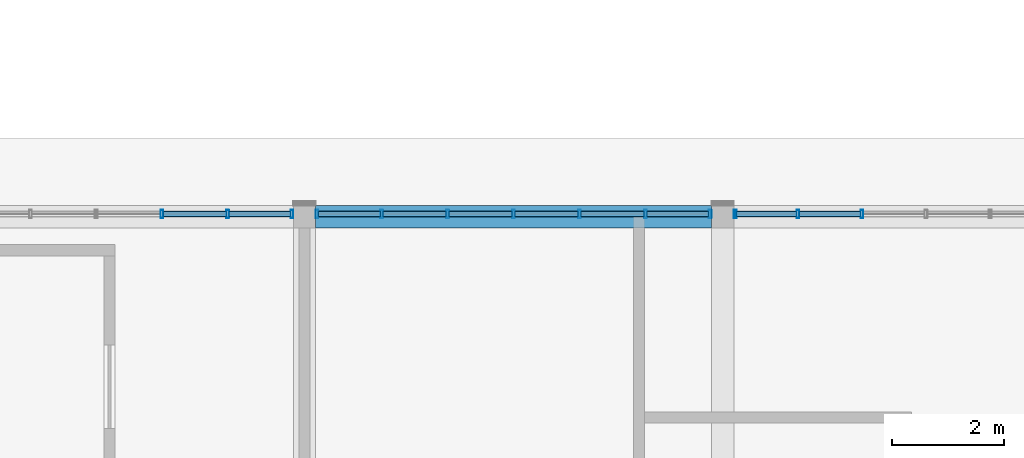
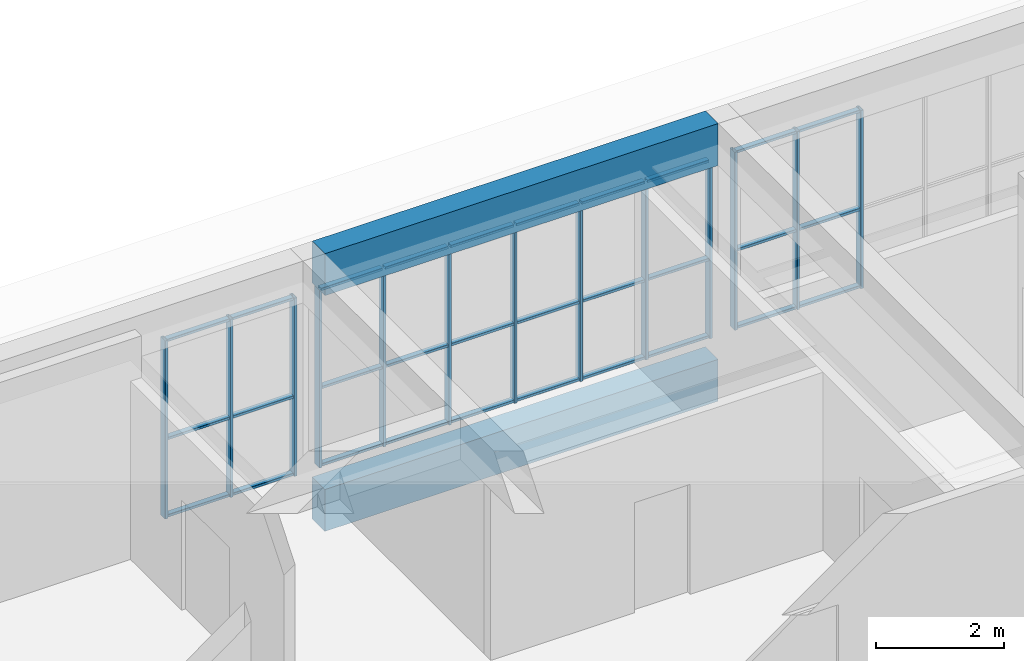
# One storey, part 15 of 92: 43 members, 2 beams, 3 elements without a shape of their own.
"""IFC4 building model written with IfcOpenShell, lengths in metres."""

from ifc_helpers import new_model, si_unit, direction, frame, origin, origin_2d, place, context, subcontext, project, spatial, rectangle, hollow_rectangle, extrude, material, material_profile, profile_set, type_object, element, aggregate, save


model = new_model("IFC4")

# Units and contexts
model_context = context("Model", 3, precision=1e-05, world=origin(), true_north=direction((0.0, 1.0)))
body_context = subcontext(model_context, "Body", "Model", "MODEL_VIEW")
ifc_project = project(units=[si_unit("LENGTHUNIT", "METRE"), si_unit("AREAUNIT", "SQUARE_METRE"), si_unit("VOLUMEUNIT", "CUBIC_METRE"), si_unit("PLANEANGLEUNIT", "RADIAN"), si_unit("MASSUNIT", "GRAM", prefix="KILO")], contexts=[model_context])

# Site, building, storey
site_placement = place(None, origin())
site = spatial("IfcSite", under=ifc_project, at=site_placement, CompositionType="ELEMENT")
building_placement = place(site_placement, origin())
building = spatial("IfcBuilding", under=site, at=building_placement, Name="Sun Court Science Centre", CompositionType="ELEMENT")
storey_placement = place(building_placement, frame((0.0, 0.0, 11.25)))
storey = spatial("IfcBuildingStorey", under=building, at=storey_placement, Name="L02", CompositionType="ELEMENT", Elevation=11.25)

# Curtain wall, members
ifc_material_1 = material(Name="Aluminium EN AW-6063 T6", Category="aluminium")
curtain_wall_type = type_object("IfcCurtainWallType", Name="Pavilion curtain wall 1200", PredefinedType="NOTDEFINED", material=ifc_material_1)
curtain_wall_1_placement = place(storey_placement, origin())
curtain_wall_1 = element("IfcCurtainWall", 1, at=curtain_wall_1_placement, inside=storey, type_object=curtain_wall_type, Name="Curtain wall V5 N L02 01", PredefinedType="NOTDEFINED")
ifc_material_2 = material(Name="Aluminium EN AW-6063 T6", Category="aluminium")
ifc_material_profile_1 = material_profile(ifc_material_2, hollow_rectangle(XDim=0.050048828125, YDim=0.14990234375, WallThickness=0.00390625, InnerFilletRadius=0.00390625, OuterFilletRadius=0.006103515625, at=origin_2d()), Name="AL 50x150x4")
ifc_profile_set_1 = profile_set([ifc_material_profile_1], Name="Aluminium EN AW-6063 T6")
member_type_1 = type_object("IfcMemberType", Name="Curtain wall mullion AL 50x150", PredefinedType="MULLION", material=ifc_profile_set_1)
member_1_placement = place(storey_placement, frame((48.44287109375, 49.85009765625, 0.0), z_axis=(0.0, 0.0, 1.0), x_axis=(1.0, 0.0, 0.0)))
member_1 = element("IfcMember", 2, at=member_1_placement, type_object=member_type_1, Name="CW3-17 mullion 6", PredefinedType="MULLION", context=body_context, shape_type="SweptSolid", body=[
    extrude(hollow_rectangle(XDim=0.050048828125, YDim=0.14990234375, WallThickness=0.00390625, InnerFilletRadius=0.00390625, OuterFilletRadius=0.006103515625, at=origin_2d()), origin(), (0.0, 0.0, 1.0), 3.39990234375),
])
member_2_placement = place(storey_placement, frame((49.621337890625, 49.85009765625, 0.0), z_axis=(0.0, 0.0, 1.0), x_axis=(1.0, 0.0, 0.0)))
member_2 = element("IfcMember", 3, at=member_2_placement, type_object=member_type_1, Name="CW3-17 mullion 7", PredefinedType="MULLION", context=body_context, shape_type="SweptSolid", body=[
    extrude(hollow_rectangle(XDim=0.050048828125, YDim=0.14990234375, WallThickness=0.00390625, InnerFilletRadius=0.00390625, OuterFilletRadius=0.006103515625, at=origin_2d()), origin(), (0.0, 0.0, 1.0), 3.39990234375),
])
member_3_placement = place(storey_placement, frame((50.77490234375, 49.85009765625, 0.0), z_axis=(0.0, 0.0, 1.0), x_axis=(1.0, 0.0, 0.0)))
member_3 = element("IfcMember", 4, at=member_3_placement, type_object=member_type_1, Name="CW3-17 mullion 8", PredefinedType="MULLION", context=body_context, shape_type="SweptSolid", body=[
    extrude(hollow_rectangle(XDim=0.050048828125, YDim=0.14990234375, WallThickness=0.00390625, InnerFilletRadius=0.00390625, OuterFilletRadius=0.006103515625, at=origin_2d()), origin(), (0.0, 0.0, 1.0), 3.39990234375),
])

curtain_wall_2_placement = place(storey_placement, origin())
curtain_wall_2 = element("IfcCurtainWall", 5, at=curtain_wall_2_placement, inside=storey, type_object=curtain_wall_type, Name="Curtain wall V5 N L02 02", PredefinedType="NOTDEFINED")
member_4_placement = place(storey_placement, frame((51.22509765625, 49.85009765625, 0.0), z_axis=(0.0, 0.0, 1.0), x_axis=(1.0, 0.0, 0.0)))
member_4 = element("IfcMember", 6, at=member_4_placement, type_object=member_type_1, Name="CW3-18 mullion 1", PredefinedType="MULLION", context=body_context, shape_type="SweptSolid", body=[
    extrude(hollow_rectangle(XDim=0.050048828125, YDim=0.14990234375, WallThickness=0.00390625, InnerFilletRadius=0.00390625, OuterFilletRadius=0.006103515625, at=origin_2d()), origin(), (0.0, 0.0, 1.0), 3.39990234375),
])
member_5_placement = place(storey_placement, frame((52.38330078125, 49.85009765625, 0.0), z_axis=(0.0, 0.0, 1.0), x_axis=(1.0, 0.0, 0.0)))
member_5 = element("IfcMember", 7, at=member_5_placement, type_object=member_type_1, Name="CW3-18 mullion 2", PredefinedType="MULLION", context=body_context, shape_type="SweptSolid", body=[
    extrude(hollow_rectangle(XDim=0.050048828125, YDim=0.14990234375, WallThickness=0.00390625, InnerFilletRadius=0.00390625, OuterFilletRadius=0.006103515625, at=origin_2d()), origin(), (0.0, 0.0, 1.0), 3.39990234375),
])
member_6_placement = place(storey_placement, frame((53.566650390625, 49.85009765625, 0.0), z_axis=(0.0, 0.0, 1.0), x_axis=(1.0, 0.0, 0.0)))
member_6 = element("IfcMember", 8, at=member_6_placement, type_object=member_type_1, Name="CW3-18 mullion 3", PredefinedType="MULLION", context=body_context, shape_type="SweptSolid", body=[
    extrude(hollow_rectangle(XDim=0.050048828125, YDim=0.14990234375, WallThickness=0.00390625, InnerFilletRadius=0.00390625, OuterFilletRadius=0.006103515625, at=origin_2d()), origin(), (0.0, 0.0, 1.0), 3.39990234375),
])
member_7_placement = place(storey_placement, frame((54.75, 49.85009765625, 0.0), z_axis=(0.0, 0.0, 1.0), x_axis=(1.0, 0.0, 0.0)))
member_7 = element("IfcMember", 9, at=member_7_placement, type_object=member_type_1, Name="CW3-18 mullion 4", PredefinedType="MULLION", context=body_context, shape_type="SweptSolid", body=[
    extrude(hollow_rectangle(XDim=0.050048828125, YDim=0.14990234375, WallThickness=0.00390625, InnerFilletRadius=0.00390625, OuterFilletRadius=0.006103515625, at=origin_2d()), origin(), (0.0, 0.0, 1.0), 3.39990234375),
])
member_8_placement = place(storey_placement, frame((55.933349609375, 49.85009765625, 0.0), z_axis=(0.0, 0.0, 1.0), x_axis=(1.0, 0.0, 0.0)))
member_8 = element("IfcMember", 10, at=member_8_placement, type_object=member_type_1, Name="CW3-18 mullion 5", PredefinedType="MULLION", context=body_context, shape_type="SweptSolid", body=[
    extrude(hollow_rectangle(XDim=0.050048828125, YDim=0.14990234375, WallThickness=0.00390625, InnerFilletRadius=0.00390625, OuterFilletRadius=0.006103515625, at=origin_2d()), origin(), (0.0, 0.0, 1.0), 3.39990234375),
])
member_9_placement = place(storey_placement, frame((57.11669921875, 49.85009765625, 0.0), z_axis=(0.0, 0.0, 1.0), x_axis=(1.0, 0.0, 0.0)))
member_9 = element("IfcMember", 11, at=member_9_placement, type_object=member_type_1, Name="CW3-18 mullion 6", PredefinedType="MULLION", context=body_context, shape_type="SweptSolid", body=[
    extrude(hollow_rectangle(XDim=0.050048828125, YDim=0.14990234375, WallThickness=0.00390625, InnerFilletRadius=0.00390625, OuterFilletRadius=0.006103515625, at=origin_2d()), origin(), (0.0, 0.0, 1.0), 3.39990234375),
])
member_10_placement = place(storey_placement, frame((58.27490234375, 49.85009765625, 0.0), z_axis=(0.0, 0.0, 1.0), x_axis=(1.0, 0.0, 0.0)))
member_10 = element("IfcMember", 12, at=member_10_placement, type_object=member_type_1, Name="CW3-18 mullion 7", PredefinedType="MULLION", context=body_context, shape_type="SweptSolid", body=[
    extrude(hollow_rectangle(XDim=0.050048828125, YDim=0.14990234375, WallThickness=0.00390625, InnerFilletRadius=0.00390625, OuterFilletRadius=0.006103515625, at=origin_2d()), origin(), (0.0, 0.0, 1.0), 3.39990234375),
])

curtain_wall_3_placement = place(storey_placement, origin())
curtain_wall_3 = element("IfcCurtainWall", 13, at=curtain_wall_3_placement, inside=storey, type_object=curtain_wall_type, Name="Curtain wall V5 N L02 03", PredefinedType="NOTDEFINED")
member_11_placement = place(storey_placement, frame((58.72509765625, 49.85009765625, 0.0), z_axis=(0.0, 0.0, 1.0), x_axis=(1.0, 0.0, 0.0)))
member_11 = element("IfcMember", 14, at=member_11_placement, type_object=member_type_1, Name="CW3-19 mullion 1", PredefinedType="MULLION", context=body_context, shape_type="SweptSolid", body=[
    extrude(hollow_rectangle(XDim=0.050048828125, YDim=0.14990234375, WallThickness=0.00390625, InnerFilletRadius=0.00390625, OuterFilletRadius=0.006103515625, at=origin_2d()), origin(), (0.0, 0.0, 1.0), 3.39990234375),
])
member_12_placement = place(storey_placement, frame((59.85009765625, 49.85009765625, 0.0), z_axis=(0.0, 0.0, 1.0), x_axis=(1.0, 0.0, 0.0)))
member_12 = element("IfcMember", 15, at=member_12_placement, type_object=member_type_1, Name="CW3-19 mullion 2", PredefinedType="MULLION", context=body_context, shape_type="SweptSolid", body=[
    extrude(hollow_rectangle(XDim=0.050048828125, YDim=0.14990234375, WallThickness=0.00390625, InnerFilletRadius=0.00390625, OuterFilletRadius=0.006103515625, at=origin_2d()), origin(), (0.0, 0.0, 1.0), 3.39990234375),
])
member_13_placement = place(storey_placement, frame((61.0, 49.85009765625, 0.0), z_axis=(0.0, 0.0, 1.0), x_axis=(1.0, 0.0, 0.0)))
member_13 = element("IfcMember", 16, at=member_13_placement, type_object=member_type_1, Name="CW3-19 mullion 3", PredefinedType="MULLION", context=body_context, shape_type="SweptSolid", body=[
    extrude(hollow_rectangle(XDim=0.050048828125, YDim=0.14990234375, WallThickness=0.00390625, InnerFilletRadius=0.00390625, OuterFilletRadius=0.006103515625, at=origin_2d()), origin(), (0.0, 0.0, 1.0), 3.39990234375),
])

# Member
ifc_material_3 = material(Name="Aluminium EN AW-6063 T6", Category="aluminium")
ifc_material_profile_2 = material_profile(ifc_material_3, hollow_rectangle(XDim=0.050048828125, YDim=0.10009765625, WallThickness=0.00390625, InnerFilletRadius=0.00390625, OuterFilletRadius=0.006103515625, at=origin_2d()), Name="AL 50x100x4")
ifc_profile_set_2 = profile_set([ifc_material_profile_2], Name="Aluminium EN AW-6063 T6")
member_type_2 = type_object("IfcMemberType", Name="Curtain wall transom AL 50x100", PredefinedType="USERDEFINED", material=ifc_profile_set_2)
member_14_placement = place(storey_placement, frame((48.4677734375, 49.85009765625, 0.02490234375), z_axis=(1.0, 0.0, 0.0), x_axis=(0.0, 0.0, 1.0)))
member_14 = element("IfcMember", 17, at=member_14_placement, type_object=member_type_2, Name="CW3-17 transom 6.1", ObjectType="TRANSOM", PredefinedType="USERDEFINED", context=body_context, shape_type="SweptSolid", body=[
    extrude(hollow_rectangle(XDim=0.050048828125, YDim=0.10009765625, WallThickness=0.00390625, InnerFilletRadius=0.00390625, OuterFilletRadius=0.006103515625, at=origin_2d()), origin(), (0.0, 0.0, 1.0), 1.128662109375),
])

member_15_placement = place(storey_placement, frame((49.646484375, 49.85009765625, 0.02490234375), z_axis=(1.0, 0.0, 0.0), x_axis=(0.0, 0.0, 1.0)))
member_15 = element("IfcMember", 18, at=member_15_placement, type_object=member_type_2, Name="CW3-17 transom 7.1", ObjectType="TRANSOM", PredefinedType="USERDEFINED", context=body_context, shape_type="SweptSolid", body=[
    extrude(hollow_rectangle(XDim=0.050048828125, YDim=0.10009765625, WallThickness=0.00390625, InnerFilletRadius=0.00390625, OuterFilletRadius=0.006103515625, at=origin_2d()), origin(), (0.0, 0.0, 1.0), 1.103515625),
])

member_16_placement = place(storey_placement, frame((48.4677734375, 49.85009765625, 1.5), z_axis=(1.0, 0.0, 0.0), x_axis=(0.0, 0.0, 1.0)))
member_16 = element("IfcMember", 19, at=member_16_placement, type_object=member_type_2, Name="CW3-17 transom 6.2", ObjectType="TRANSOM", PredefinedType="USERDEFINED", context=body_context, shape_type="SweptSolid", body=[
    extrude(hollow_rectangle(XDim=0.050048828125, YDim=0.10009765625, WallThickness=0.00390625, InnerFilletRadius=0.00390625, OuterFilletRadius=0.006103515625, at=origin_2d()), origin(), (0.0, 0.0, 1.0), 1.128662109375),
])

member_17_placement = place(storey_placement, frame((49.646484375, 49.85009765625, 1.5), z_axis=(1.0, 0.0, 0.0), x_axis=(0.0, 0.0, 1.0)))
member_17 = element("IfcMember", 20, at=member_17_placement, type_object=member_type_2, Name="CW3-17 transom 7.2", ObjectType="TRANSOM", PredefinedType="USERDEFINED", context=body_context, shape_type="SweptSolid", body=[
    extrude(hollow_rectangle(XDim=0.050048828125, YDim=0.10009765625, WallThickness=0.00390625, InnerFilletRadius=0.00390625, OuterFilletRadius=0.006103515625, at=origin_2d()), origin(), (0.0, 0.0, 1.0), 1.103515625),
])

member_18_placement = place(storey_placement, frame((48.4677734375, 49.85009765625, 3.375), z_axis=(1.0, 0.0, 0.0), x_axis=(0.0, 0.0, 1.0)))
member_18 = element("IfcMember", 21, at=member_18_placement, type_object=member_type_2, Name="CW3-17 transom 6.3", ObjectType="TRANSOM", PredefinedType="USERDEFINED", context=body_context, shape_type="SweptSolid", body=[
    extrude(hollow_rectangle(XDim=0.050048828125, YDim=0.10009765625, WallThickness=0.00390625, InnerFilletRadius=0.00390625, OuterFilletRadius=0.006103515625, at=origin_2d()), origin(), (0.0, 0.0, 1.0), 1.128662109375),
])

member_19_placement = place(storey_placement, frame((49.646484375, 49.85009765625, 3.375), z_axis=(1.0, 0.0, 0.0), x_axis=(0.0, 0.0, 1.0)))
member_19 = element("IfcMember", 22, at=member_19_placement, type_object=member_type_2, Name="CW3-17 transom 7.3", ObjectType="TRANSOM", PredefinedType="USERDEFINED", context=body_context, shape_type="SweptSolid", body=[
    extrude(hollow_rectangle(XDim=0.050048828125, YDim=0.10009765625, WallThickness=0.00390625, InnerFilletRadius=0.00390625, OuterFilletRadius=0.006103515625, at=origin_2d()), origin(), (0.0, 0.0, 1.0), 1.103515625),
])

aggregate(curtain_wall_1, [member_1, member_2, member_3, member_14, member_15, member_16, member_17, member_18, member_19])

member_20_placement = place(storey_placement, frame((51.25, 49.85009765625, 0.02490234375), z_axis=(1.0, 0.0, 0.0), x_axis=(0.0, 0.0, 1.0)))
member_20 = element("IfcMember", 23, at=member_20_placement, type_object=member_type_2, Name="CW3-18 transom 1.1", ObjectType="TRANSOM", PredefinedType="USERDEFINED", context=body_context, shape_type="SweptSolid", body=[
    extrude(hollow_rectangle(XDim=0.050048828125, YDim=0.10009765625, WallThickness=0.00390625, InnerFilletRadius=0.00390625, OuterFilletRadius=0.006103515625, at=origin_2d()), origin(), (0.0, 0.0, 1.0), 1.1083984375),
])

member_21_placement = place(storey_placement, frame((52.408447265625, 49.85009765625, 0.02490234375), z_axis=(1.0, 0.0, 0.0), x_axis=(0.0, 0.0, 1.0)))
member_21 = element("IfcMember", 24, at=member_21_placement, type_object=member_type_2, Name="CW3-18 transom 2.1", ObjectType="TRANSOM", PredefinedType="USERDEFINED", context=body_context, shape_type="SweptSolid", body=[
    extrude(hollow_rectangle(XDim=0.050048828125, YDim=0.10009765625, WallThickness=0.00390625, InnerFilletRadius=0.00390625, OuterFilletRadius=0.006103515625, at=origin_2d()), origin(), (0.0, 0.0, 1.0), 1.13330078125),
])

member_22_placement = place(storey_placement, frame((53.591552734375, 49.85009765625, 0.02490234375), z_axis=(1.0, 0.0, 0.0), x_axis=(0.0, 0.0, 1.0)))
member_22 = element("IfcMember", 25, at=member_22_placement, type_object=member_type_2, Name="CW3-18 transom 3.1", ObjectType="TRANSOM", PredefinedType="USERDEFINED", context=body_context, shape_type="SweptSolid", body=[
    extrude(hollow_rectangle(XDim=0.050048828125, YDim=0.10009765625, WallThickness=0.00390625, InnerFilletRadius=0.00390625, OuterFilletRadius=0.006103515625, at=origin_2d()), origin(), (0.0, 0.0, 1.0), 1.133544921875),
])

member_23_placement = place(storey_placement, frame((54.77490234375, 49.85009765625, 0.02490234375), z_axis=(1.0, 0.0, 0.0), x_axis=(0.0, 0.0, 1.0)))
member_23 = element("IfcMember", 26, at=member_23_placement, type_object=member_type_2, Name="CW3-18 transom 4.1", ObjectType="TRANSOM", PredefinedType="USERDEFINED", context=body_context, shape_type="SweptSolid", body=[
    extrude(hollow_rectangle(XDim=0.050048828125, YDim=0.10009765625, WallThickness=0.00390625, InnerFilletRadius=0.00390625, OuterFilletRadius=0.006103515625, at=origin_2d()), origin(), (0.0, 0.0, 1.0), 1.133544921875),
])

member_24_placement = place(storey_placement, frame((55.958251953125, 49.85009765625, 0.02490234375), z_axis=(1.0, 0.0, 0.0), x_axis=(0.0, 0.0, 1.0)))
member_24 = element("IfcMember", 27, at=member_24_placement, type_object=member_type_2, Name="CW3-18 transom 5.1", ObjectType="TRANSOM", PredefinedType="USERDEFINED", context=body_context, shape_type="SweptSolid", body=[
    extrude(hollow_rectangle(XDim=0.050048828125, YDim=0.10009765625, WallThickness=0.00390625, InnerFilletRadius=0.00390625, OuterFilletRadius=0.006103515625, at=origin_2d()), origin(), (0.0, 0.0, 1.0), 1.13330078125),
])

member_25_placement = place(storey_placement, frame((57.1416015625, 49.85009765625, 0.02490234375), z_axis=(1.0, 0.0, 0.0), x_axis=(0.0, 0.0, 1.0)))
member_25 = element("IfcMember", 28, at=member_25_placement, type_object=member_type_2, Name="CW3-18 transom 6.1", ObjectType="TRANSOM", PredefinedType="USERDEFINED", context=body_context, shape_type="SweptSolid", body=[
    extrude(hollow_rectangle(XDim=0.050048828125, YDim=0.10009765625, WallThickness=0.00390625, InnerFilletRadius=0.00390625, OuterFilletRadius=0.006103515625, at=origin_2d()), origin(), (0.0, 0.0, 1.0), 1.1083984375),
])

member_26_placement = place(storey_placement, frame((51.25, 49.85009765625, 1.5), z_axis=(1.0, 0.0, 0.0), x_axis=(0.0, 0.0, 1.0)))
member_26 = element("IfcMember", 29, at=member_26_placement, type_object=member_type_2, Name="CW3-18 transom 1.2", ObjectType="TRANSOM", PredefinedType="USERDEFINED", context=body_context, shape_type="SweptSolid", body=[
    extrude(hollow_rectangle(XDim=0.050048828125, YDim=0.10009765625, WallThickness=0.00390625, InnerFilletRadius=0.00390625, OuterFilletRadius=0.006103515625, at=origin_2d()), origin(), (0.0, 0.0, 1.0), 1.1083984375),
])

member_27_placement = place(storey_placement, frame((52.408447265625, 49.85009765625, 1.5), z_axis=(1.0, 0.0, 0.0), x_axis=(0.0, 0.0, 1.0)))
member_27 = element("IfcMember", 30, at=member_27_placement, type_object=member_type_2, Name="CW3-18 transom 2.2", ObjectType="TRANSOM", PredefinedType="USERDEFINED", context=body_context, shape_type="SweptSolid", body=[
    extrude(hollow_rectangle(XDim=0.050048828125, YDim=0.10009765625, WallThickness=0.00390625, InnerFilletRadius=0.00390625, OuterFilletRadius=0.006103515625, at=origin_2d()), origin(), (0.0, 0.0, 1.0), 1.13330078125),
])

member_28_placement = place(storey_placement, frame((53.591552734375, 49.85009765625, 1.5), z_axis=(1.0, 0.0, 0.0), x_axis=(0.0, 0.0, 1.0)))
member_28 = element("IfcMember", 31, at=member_28_placement, type_object=member_type_2, Name="CW3-18 transom 3.2", ObjectType="TRANSOM", PredefinedType="USERDEFINED", context=body_context, shape_type="SweptSolid", body=[
    extrude(hollow_rectangle(XDim=0.050048828125, YDim=0.10009765625, WallThickness=0.00390625, InnerFilletRadius=0.00390625, OuterFilletRadius=0.006103515625, at=origin_2d()), origin(), (0.0, 0.0, 1.0), 1.133544921875),
])

member_29_placement = place(storey_placement, frame((54.77490234375, 49.85009765625, 1.5), z_axis=(1.0, 0.0, 0.0), x_axis=(0.0, 0.0, 1.0)))
member_29 = element("IfcMember", 32, at=member_29_placement, type_object=member_type_2, Name="CW3-18 transom 4.2", ObjectType="TRANSOM", PredefinedType="USERDEFINED", context=body_context, shape_type="SweptSolid", body=[
    extrude(hollow_rectangle(XDim=0.050048828125, YDim=0.10009765625, WallThickness=0.00390625, InnerFilletRadius=0.00390625, OuterFilletRadius=0.006103515625, at=origin_2d()), origin(), (0.0, 0.0, 1.0), 1.133544921875),
])

member_30_placement = place(storey_placement, frame((55.958251953125, 49.85009765625, 1.5), z_axis=(1.0, 0.0, 0.0), x_axis=(0.0, 0.0, 1.0)))
member_30 = element("IfcMember", 33, at=member_30_placement, type_object=member_type_2, Name="CW3-18 transom 5.2", ObjectType="TRANSOM", PredefinedType="USERDEFINED", context=body_context, shape_type="SweptSolid", body=[
    extrude(hollow_rectangle(XDim=0.050048828125, YDim=0.10009765625, WallThickness=0.00390625, InnerFilletRadius=0.00390625, OuterFilletRadius=0.006103515625, at=origin_2d()), origin(), (0.0, 0.0, 1.0), 1.13330078125),
])

member_31_placement = place(storey_placement, frame((57.1416015625, 49.85009765625, 1.5), z_axis=(1.0, 0.0, 0.0), x_axis=(0.0, 0.0, 1.0)))
member_31 = element("IfcMember", 34, at=member_31_placement, type_object=member_type_2, Name="CW3-18 transom 6.2", ObjectType="TRANSOM", PredefinedType="USERDEFINED", context=body_context, shape_type="SweptSolid", body=[
    extrude(hollow_rectangle(XDim=0.050048828125, YDim=0.10009765625, WallThickness=0.00390625, InnerFilletRadius=0.00390625, OuterFilletRadius=0.006103515625, at=origin_2d()), origin(), (0.0, 0.0, 1.0), 1.1083984375),
])

member_32_placement = place(storey_placement, frame((51.25, 49.85009765625, 3.375), z_axis=(1.0, 0.0, 0.0), x_axis=(0.0, 0.0, 1.0)))
member_32 = element("IfcMember", 35, at=member_32_placement, type_object=member_type_2, Name="CW3-18 transom 1.3", ObjectType="TRANSOM", PredefinedType="USERDEFINED", context=body_context, shape_type="SweptSolid", body=[
    extrude(hollow_rectangle(XDim=0.050048828125, YDim=0.10009765625, WallThickness=0.00390625, InnerFilletRadius=0.00390625, OuterFilletRadius=0.006103515625, at=origin_2d()), origin(), (0.0, 0.0, 1.0), 1.1083984375),
])

member_33_placement = place(storey_placement, frame((52.408447265625, 49.85009765625, 3.375), z_axis=(1.0, 0.0, 0.0), x_axis=(0.0, 0.0, 1.0)))
member_33 = element("IfcMember", 36, at=member_33_placement, type_object=member_type_2, Name="CW3-18 transom 2.3", ObjectType="TRANSOM", PredefinedType="USERDEFINED", context=body_context, shape_type="SweptSolid", body=[
    extrude(hollow_rectangle(XDim=0.050048828125, YDim=0.10009765625, WallThickness=0.00390625, InnerFilletRadius=0.00390625, OuterFilletRadius=0.006103515625, at=origin_2d()), origin(), (0.0, 0.0, 1.0), 1.13330078125),
])

member_34_placement = place(storey_placement, frame((53.591552734375, 49.85009765625, 3.375), z_axis=(1.0, 0.0, 0.0), x_axis=(0.0, 0.0, 1.0)))
member_34 = element("IfcMember", 37, at=member_34_placement, type_object=member_type_2, Name="CW3-18 transom 3.3", ObjectType="TRANSOM", PredefinedType="USERDEFINED", context=body_context, shape_type="SweptSolid", body=[
    extrude(hollow_rectangle(XDim=0.050048828125, YDim=0.10009765625, WallThickness=0.00390625, InnerFilletRadius=0.00390625, OuterFilletRadius=0.006103515625, at=origin_2d()), origin(), (0.0, 0.0, 1.0), 1.133544921875),
])

member_35_placement = place(storey_placement, frame((54.77490234375, 49.85009765625, 3.375), z_axis=(1.0, 0.0, 0.0), x_axis=(0.0, 0.0, 1.0)))
member_35 = element("IfcMember", 38, at=member_35_placement, type_object=member_type_2, Name="CW3-18 transom 4.3", ObjectType="TRANSOM", PredefinedType="USERDEFINED", context=body_context, shape_type="SweptSolid", body=[
    extrude(hollow_rectangle(XDim=0.050048828125, YDim=0.10009765625, WallThickness=0.00390625, InnerFilletRadius=0.00390625, OuterFilletRadius=0.006103515625, at=origin_2d()), origin(), (0.0, 0.0, 1.0), 1.133544921875),
])

member_36_placement = place(storey_placement, frame((55.958251953125, 49.85009765625, 3.375), z_axis=(1.0, 0.0, 0.0), x_axis=(0.0, 0.0, 1.0)))
member_36 = element("IfcMember", 39, at=member_36_placement, type_object=member_type_2, Name="CW3-18 transom 5.3", ObjectType="TRANSOM", PredefinedType="USERDEFINED", context=body_context, shape_type="SweptSolid", body=[
    extrude(hollow_rectangle(XDim=0.050048828125, YDim=0.10009765625, WallThickness=0.00390625, InnerFilletRadius=0.00390625, OuterFilletRadius=0.006103515625, at=origin_2d()), origin(), (0.0, 0.0, 1.0), 1.13330078125),
])

member_37_placement = place(storey_placement, frame((57.1416015625, 49.85009765625, 3.375), z_axis=(1.0, 0.0, 0.0), x_axis=(0.0, 0.0, 1.0)))
member_37 = element("IfcMember", 40, at=member_37_placement, type_object=member_type_2, Name="CW3-18 transom 6.3", ObjectType="TRANSOM", PredefinedType="USERDEFINED", context=body_context, shape_type="SweptSolid", body=[
    extrude(hollow_rectangle(XDim=0.050048828125, YDim=0.10009765625, WallThickness=0.00390625, InnerFilletRadius=0.00390625, OuterFilletRadius=0.006103515625, at=origin_2d()), origin(), (0.0, 0.0, 1.0), 1.1083984375),
])

aggregate(curtain_wall_2, [member_4, member_5, member_6, member_7, member_8, member_9, member_10, member_20, member_21, member_22, member_23, member_24, member_25, member_26, member_27, member_28, member_29, member_30, member_31, member_32, member_33, member_34, member_35, member_36, member_37])

member_38_placement = place(storey_placement, frame((58.75, 49.85009765625, 0.02490234375), z_axis=(1.0, 0.0, 0.0), x_axis=(0.0, 0.0, 1.0)))
member_38 = element("IfcMember", 41, at=member_38_placement, type_object=member_type_2, Name="CW3-19 transom 1.1", ObjectType="TRANSOM", PredefinedType="USERDEFINED", context=body_context, shape_type="SweptSolid", body=[
    extrude(hollow_rectangle(XDim=0.050048828125, YDim=0.10009765625, WallThickness=0.00390625, InnerFilletRadius=0.00390625, OuterFilletRadius=0.006103515625, at=origin_2d()), origin(), (0.0, 0.0, 1.0), 1.074951171875),
])

member_39_placement = place(storey_placement, frame((59.875, 49.85009765625, 0.02490234375), z_axis=(1.0, 0.0, 0.0), x_axis=(0.0, 0.0, 1.0)))
member_39 = element("IfcMember", 42, at=member_39_placement, type_object=member_type_2, Name="CW3-19 transom 2.1", ObjectType="TRANSOM", PredefinedType="USERDEFINED", context=body_context, shape_type="SweptSolid", body=[
    extrude(hollow_rectangle(XDim=0.050048828125, YDim=0.10009765625, WallThickness=0.00390625, InnerFilletRadius=0.00390625, OuterFilletRadius=0.006103515625, at=origin_2d()), origin(), (0.0, 0.0, 1.0), 1.10009765625),
])

member_40_placement = place(storey_placement, frame((58.75, 49.85009765625, 1.5), z_axis=(1.0, 0.0, 0.0), x_axis=(0.0, 0.0, 1.0)))
member_40 = element("IfcMember", 43, at=member_40_placement, type_object=member_type_2, Name="CW3-19 transom 1.2", ObjectType="TRANSOM", PredefinedType="USERDEFINED", context=body_context, shape_type="SweptSolid", body=[
    extrude(hollow_rectangle(XDim=0.050048828125, YDim=0.10009765625, WallThickness=0.00390625, InnerFilletRadius=0.00390625, OuterFilletRadius=0.006103515625, at=origin_2d()), origin(), (0.0, 0.0, 1.0), 1.074951171875),
])

member_41_placement = place(storey_placement, frame((59.875, 49.85009765625, 1.5), z_axis=(1.0, 0.0, 0.0), x_axis=(0.0, 0.0, 1.0)))
member_41 = element("IfcMember", 44, at=member_41_placement, type_object=member_type_2, Name="CW3-19 transom 2.2", ObjectType="TRANSOM", PredefinedType="USERDEFINED", context=body_context, shape_type="SweptSolid", body=[
    extrude(hollow_rectangle(XDim=0.050048828125, YDim=0.10009765625, WallThickness=0.00390625, InnerFilletRadius=0.00390625, OuterFilletRadius=0.006103515625, at=origin_2d()), origin(), (0.0, 0.0, 1.0), 1.10009765625),
])

member_42_placement = place(storey_placement, frame((58.75, 49.85009765625, 3.375), z_axis=(1.0, 0.0, 0.0), x_axis=(0.0, 0.0, 1.0)))
member_42 = element("IfcMember", 45, at=member_42_placement, type_object=member_type_2, Name="CW3-19 transom 1.3", ObjectType="TRANSOM", PredefinedType="USERDEFINED", context=body_context, shape_type="SweptSolid", body=[
    extrude(hollow_rectangle(XDim=0.050048828125, YDim=0.10009765625, WallThickness=0.00390625, InnerFilletRadius=0.00390625, OuterFilletRadius=0.006103515625, at=origin_2d()), origin(), (0.0, 0.0, 1.0), 1.074951171875),
])

member_43_placement = place(storey_placement, frame((59.875, 49.85009765625, 3.375), z_axis=(1.0, 0.0, 0.0), x_axis=(0.0, 0.0, 1.0)))
member_43 = element("IfcMember", 46, at=member_43_placement, type_object=member_type_2, Name="CW3-19 transom 2.3", ObjectType="TRANSOM", PredefinedType="USERDEFINED", context=body_context, shape_type="SweptSolid", body=[
    extrude(hollow_rectangle(XDim=0.050048828125, YDim=0.10009765625, WallThickness=0.00390625, InnerFilletRadius=0.00390625, OuterFilletRadius=0.006103515625, at=origin_2d()), origin(), (0.0, 0.0, 1.0), 1.10009765625),
])

aggregate(curtain_wall_3, [member_11, member_12, member_13, member_38, member_39, member_40, member_41, member_42, member_43])

# Beams
ifc_material_4 = material(Name="Concrete C25/30", Category="concrete")
ifc_material_profile_3 = material_profile(ifc_material_4, rectangle(XDim=0.39990234375, YDim=0.800048828125, at=origin_2d()), Name="RC 400x800")
ifc_profile_set_3 = profile_set([ifc_material_profile_3], Name="Concrete C25/30")
beam_type = type_object("IfcBeamType", Name="RC girder 400x800", PredefinedType="BEAM", material=ifc_profile_set_3)
for number, where, z_axis, x_axis, name in (
    (47, (51.199951171875, 49.800048828125, -0.699951171875), (1.0, 0.0, 0.0), (0.0, 1.0, 0.0), "Girder L02 row 2"),
    (48, (51.199951171875, 49.800048828125, 3.800048828125), (1.0, 0.0, 0.0), (0.0, 1.0, 0.0), "Girder L03 row 2"),
):
    element("IfcBeam", number, at=place(storey_placement, frame(where, z_axis=z_axis, x_axis=x_axis)), inside=storey, type_object=beam_type, Name=name, PredefinedType="BEAM", context=body_context, shape_type="SweptSolid", body=[
        extrude(rectangle(XDim=0.39990234375, YDim=0.800048828125, at=origin_2d()), origin(), (0.0, 0.0, 1.0), 7.10009765625),
    ])

save(model, "model.ifc")
